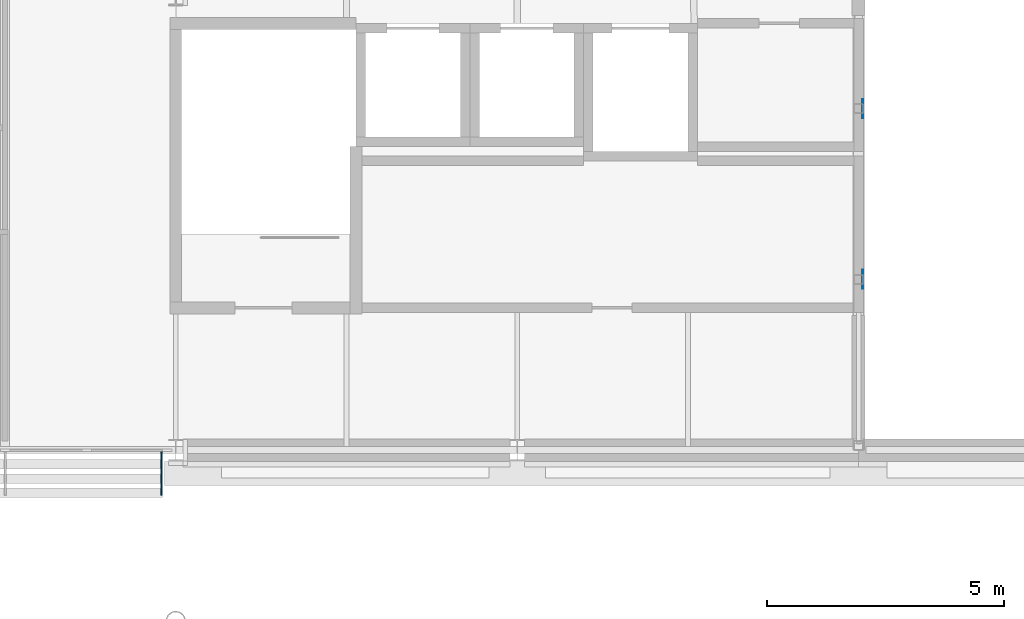
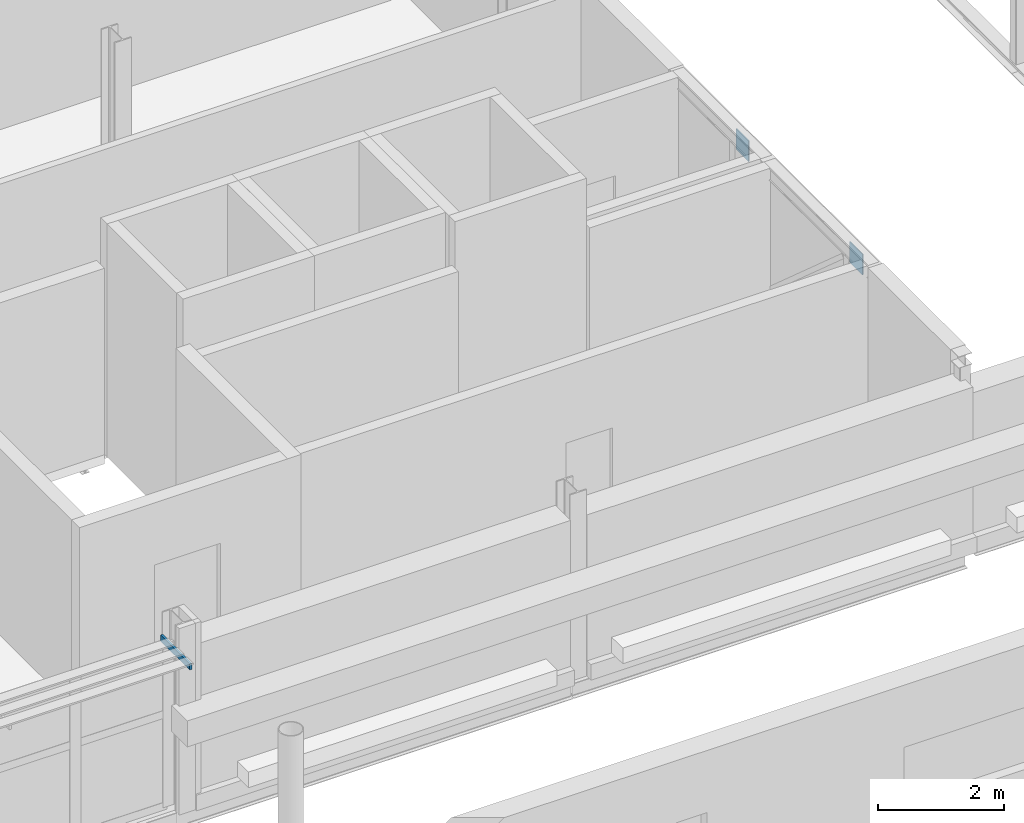
# One storey, part 113 of 142: 3 discrete accessories.
"""IFC4 building model written with IfcOpenShell, lengths in metres."""

import ifcopenshell
import ifcopenshell.guid

model = None  # the IFC model being written
_history = None  # IfcOwnerHistory: only IFC2X3 demands one
_inside = {}  # id of a spatial element -> (the spatial element, [elements in it])
_under = {}  # id of a project, library or spatial element -> (it, [spatial elements below it])
_declared = {}  # id of a project -> (the project, [libraries it declares])
_typed = {}  # id of a type object -> (the type object, [elements of that type])
_made_of = {}  # id of a material, layer set ... -> (it, [elements and type objects made of it])


def new_model(schema):
    """Start an empty IFC model of exactly this schema.

    Asked for "IFC4X3", IfcOpenShell would pick the latest addendum, in which some entities
    have other attributes; the version numbers below select the first issue.
    IFC2X3 requires an IfcOwnerHistory on every rooted entity: one is made here for all.
    """
    global model, _history
    if schema == "IFC4X3":
        model = ifcopenshell.file(schema_version=(4, 3, 0, 0))
    else:
        model = ifcopenshell.file(schema=schema)
    _inside.clear()
    _under.clear()
    _declared.clear()
    _typed.clear()
    _made_of.clear()
    _history = None
    if model.schema == "IFC2X3":
        org = make("IfcOrganization", Name="unknown")
        user = make(
            "IfcPersonAndOrganization",
            ThePerson=make("IfcPerson", FamilyName="unknown"),
            TheOrganization=org,
        )
        app = make(
            "IfcApplication",
            ApplicationDeveloper=org,
            Version="unknown",
            ApplicationFullName="unknown",
            ApplicationIdentifier="unknown",
        )
        _history = make(
            "IfcOwnerHistory",
            OwningUser=user,
            OwningApplication=app,
            ChangeAction="ADDED",
            CreationDate=0,
        )
    return model


def make(cls, **values):
    """One entity of the class cls with the attributes given. An attribute that is None is left unset."""
    return model.create_entity(
        cls, **{name: value for name, value in values.items() if value is not None}
    )


def rooted(cls, **values):
    """An entity with a GlobalId (a new one), such as an element, a storey or a relation."""
    return make(cls, GlobalId=ifcopenshell.guid.new(), OwnerHistory=_history, **values)


def si_unit(unit_type, name, prefix=None):
    """IfcSIUnit, for example si_unit("LENGTHUNIT", "METRE", prefix="MILLI")."""
    return make("IfcSIUnit", UnitType=unit_type, Prefix=prefix, Name=name)


def assignment(units):
    """IfcUnitAssignment: the units of a project."""
    return None if units is None else make("IfcUnitAssignment", Units=units)


def point(xyz):
    """IfcCartesianPoint."""
    return None if xyz is None else make("IfcCartesianPoint", Coordinates=xyz)


def direction(xyz):
    """IfcDirection."""
    return None if xyz is None else make("IfcDirection", DirectionRatios=xyz)


def frame(location, z_axis=None, x_axis=None):
    """IfcAxis2Placement3D, a coordinate frame: its origin and axes. An axis left out is left unset."""
    return make(
        "IfcAxis2Placement3D",
        Location=point(location),
        Axis=direction(z_axis),
        RefDirection=direction(x_axis),
    )


def frame_2d(location, x_axis=None):
    """IfcAxis2Placement2D, a coordinate frame in the plane: its origin and x axis."""
    return make(
        "IfcAxis2Placement2D", Location=point(location), RefDirection=direction(x_axis)
    )


def origin():
    """The frame at (0, 0, 0) with its axes left unset."""
    return frame((0.0, 0.0, 0.0))


def origin_2d():
    """The frame at (0, 0) in the plane with its x axis left unset."""
    return frame_2d((0.0, 0.0))


def place(relative_to, where):
    """IfcLocalPlacement: puts the frame where relative to a parent placement (None: the world)."""
    return make(
        "IfcLocalPlacement", PlacementRelTo=relative_to, RelativePlacement=where
    )


def context(
    kind, dimensions, precision=None, world=None, true_north=None, identifier=None
):
    """IfcGeometricRepresentationContext, for example the 3D "Model" context."""
    return make(
        "IfcGeometricRepresentationContext",
        ContextIdentifier=identifier,
        ContextType=kind,
        CoordinateSpaceDimension=dimensions,
        Precision=precision,
        WorldCoordinateSystem=world,
        TrueNorth=true_north,
    )


def subcontext(parent, identifier, kind, view, scale=None):
    """IfcGeometricRepresentationSubContext, for example "Body" below "Model"."""
    return make(
        "IfcGeometricRepresentationSubContext",
        ContextIdentifier=identifier,
        ContextType=kind,
        ParentContext=parent,
        TargetScale=scale,
        TargetView=view,
    )


def project(units=None, contexts=None):
    """IfcProject with its units and contexts."""
    return rooted(
        "IfcProject",
        Name="project",
        RepresentationContexts=contexts,
        UnitsInContext=assignment(units),
    )


def spatial(cls, under=None, at=None, **own):
    """A site, building, storey or space (cls), placed at a placement, below another one or the project."""
    s = rooted(cls, ObjectPlacement=at, **own)
    if under is not None:
        _under.setdefault(under.id(), (under, []))[1].append(s)
    return s


def profile(cls, at=None, kind="AREA", **sizes):
    """A parametric profile (cls). Its sizes go by their IFC names, for example OverallWidth=200.0."""
    return make(cls, ProfileType=kind, Position=at, **sizes)


def rectangle(**sizes):
    """IfcRectangleProfileDef."""
    return profile("IfcRectangleProfileDef", **sizes)


def extrude(swept, where, along, depth):
    """IfcExtrudedAreaSolid: the profile swept, set in the frame where, extruded along a direction by depth."""
    return make(
        "IfcExtrudedAreaSolid",
        SweptArea=swept,
        Position=where,
        ExtrudedDirection=direction(along),
        Depth=depth,
    )


def shape(context_of_items, identifier, shape_type, items):
    """IfcShapeRepresentation: the items that make up one representation, for example the "Body"."""
    return make(
        "IfcShapeRepresentation",
        ContextOfItems=context_of_items,
        RepresentationIdentifier=identifier,
        RepresentationType=shape_type,
        Items=items,
    )


def material(Name=None, Category=None):
    """IfcMaterial."""
    return make("IfcMaterial", Name=Name, Category=Category)


def layer(
    of_material, thickness, ventilated=None, Name=None, Category=None, Priority=None
):
    """IfcMaterialLayer: one layer of a wall or slab, of a material (None: an air gap)."""
    return make(
        "IfcMaterialLayer",
        Material=of_material,
        LayerThickness=thickness,
        IsVentilated=ventilated,
        Name=Name,
        Category=Category,
        Priority=Priority,
    )


def layer_set(layers, Name=None):
    """IfcMaterialLayerSet."""
    return make("IfcMaterialLayerSet", MaterialLayers=layers, LayerSetName=Name)


def made_of(thing, what):
    """Note that an element or type object is made of a material, layer set ...; save() writes the relation."""
    if what is not None:
        _made_of.setdefault(what.id(), (what, []))[1].append(thing)
    return thing


def type_object(cls, material=None, **own):
    """A type object (cls), such as IfcWallType, which elements share."""
    return made_of(rooted(cls, **own), material)


def element(
    cls,
    number,
    at=None,
    inside=None,
    cuts=None,
    type_object=None,
    material=None,
    context=None,
    identifier="Body",
    shape_type=None,
    held_by="IfcProductDefinitionShape",
    body=None,
    shapes=None,
    **own,
):
    """One element of the class cls, such as IfcWall. Its Tag is "e" and its number.

    at: its placement. inside: the storey or other place that contains it. cuts: it is an
    opening in that element (IfcRelVoidsElement). A single representation is given by context,
    identifier, shape_type and body (its items); several are given by shapes. held_by: the class
    of the entity that holds the representations. save() writes the other relations.
    """
    e = rooted(cls, Tag="e%d" % number, ObjectPlacement=at, **own)
    if body is not None:
        shapes = [shape(context, identifier, shape_type, body)]
    if shapes is not None:
        e.Representation = make(held_by, Representations=shapes)
    if inside is not None:
        _inside.setdefault(inside.id(), (inside, []))[1].append(e)
    if cuts is not None:
        rooted(
            "IfcRelVoidsElement", RelatingBuildingElement=cuts, RelatedOpeningElement=e
        )
    if type_object is not None:
        _typed.setdefault(type_object.id(), (type_object, []))[1].append(e)
    return made_of(e, material)


def aggregate(whole, parts):
    """IfcRelAggregates: a whole, such as a stair, and the parts it consists of."""
    return rooted("IfcRelAggregates", RelatingObject=whole, RelatedObjects=parts)


def save(model, path):
    """Write the relations noted so far, then the file.

    IfcRelAggregates (storeys below a building ...), IfcRelContainedInSpatialStructure (elements
    in a storey), IfcRelDefinesByType, IfcRelAssociatesMaterial and IfcRelDeclares: one each for
    every whole, place, type object, material and project.
    """
    for whole, parts in _under.values():
        aggregate(whole, parts)
    for where, things in _inside.values():
        rooted(
            "IfcRelContainedInSpatialStructure",
            RelatedElements=things,
            RelatingStructure=where,
        )
    for kind, things in _typed.values():
        rooted("IfcRelDefinesByType", RelatedObjects=things, RelatingType=kind)
    for what, things in _made_of.values():
        rooted("IfcRelAssociatesMaterial", RelatedObjects=things, RelatingMaterial=what)
    for by, libraries in _declared.values():
        rooted("IfcRelDeclares", RelatingContext=by, RelatedDefinitions=libraries)
    model.write(path)


model = new_model("IFC4")

# Units and contexts
model_context = context("Model", 3, precision=1e-05, world=origin(), true_north=direction((0.0, 1.0)))
body_context = subcontext(model_context, "Body", "Model", "MODEL_VIEW")
ifc_project = project(units=[si_unit("LENGTHUNIT", "METRE"), si_unit("AREAUNIT", "SQUARE_METRE"), si_unit("VOLUMEUNIT", "CUBIC_METRE"), si_unit("PLANEANGLEUNIT", "RADIAN"), si_unit("MASSUNIT", "GRAM", prefix="KILO")], contexts=[model_context])

# Site, building, storey
site_placement = place(None, origin())
site = spatial("IfcSite", under=ifc_project, at=site_placement, CompositionType="ELEMENT")
building_placement = place(site_placement, origin())
building = spatial("IfcBuilding", under=site, at=building_placement, Name="Kupolbacken Congress Centre", CompositionType="ELEMENT")
storey_placement = place(building_placement, frame((0.0, 0.0, 14.39990234375)))
storey = spatial("IfcBuildingStorey", under=building, at=storey_placement, Name="L04", CompositionType="ELEMENT", Elevation=14.39990234375)

# Discrete accessories
ifc_material_1 = material(Name="Steel S355", Category="steel")
ifc_layer_1 = layer(ifc_material_1, 0.011962890625)
ifc_layer_set_1 = layer_set([ifc_layer_1], Name="Steel S355")
discrete_accessory_type_1 = type_object("IfcDiscreteAccessoryType", Name="BK1 bracket 150 x 150 x 12", PredefinedType="BRACKET", material=ifc_layer_set_1)
discrete_accessory_placement = place(storey_placement, frame((136.5, 121.909912109375, 3.239990234375), z_axis=(0.0, 0.0, 1.0), x_axis=(1.0, 0.0, 0.0)))
element("IfcDiscreteAccessory", 1, at=discrete_accessory_placement, inside=storey, type_object=discrete_accessory_type_1, Name="Brise-soleil arm", PredefinedType="BRACKET", context=body_context, shape_type="SweptSolid", body=[
    extrude(rectangle(XDim=0.0400390625, YDim=0.919921875, at=origin_2d()), origin(), (0.0, 0.0, 1.0), 0.1201171875),
])
ifc_material_2 = material(Name="Steel S355", Category="steel")
ifc_layer_2 = layer(ifc_material_2, 0.02001953125)
ifc_layer_set_2 = layer_set([ifc_layer_2], Name="Steel S355")
discrete_accessory_type_2 = type_object("IfcDiscreteAccessoryType", Name="BK4 cast-in plate 400 x 400 x 20", PredefinedType="BRACKET", material=ifc_layer_set_2)
for number, where, z_axis, x_axis, name in (
    (2, (151.2900390625, 126.0, 3.050048828125), (0.0, 0.0, 1.0), (1.0, 0.0, 0.0), "Cast-in plate 01"),
    (3, (151.2900390625, 129.60009765625, 3.050048828125), (0.0, 0.0, 1.0), (1.0, 0.0, 0.0), "Cast-in plate 04"),
):
    element("IfcDiscreteAccessory", number, at=place(storey_placement, frame(where, z_axis=z_axis, x_axis=x_axis)), inside=storey, type_object=discrete_accessory_type_2, Name=name, PredefinedType="BRACKET", context=body_context, shape_type="SweptSolid", body=[
        extrude(rectangle(XDim=0.02001953125, YDim=0.39990234375, at=origin_2d()), origin(), (0.0, 0.0, 1.0), 0.39990234375),
    ])

save(model, "model.ifc")
